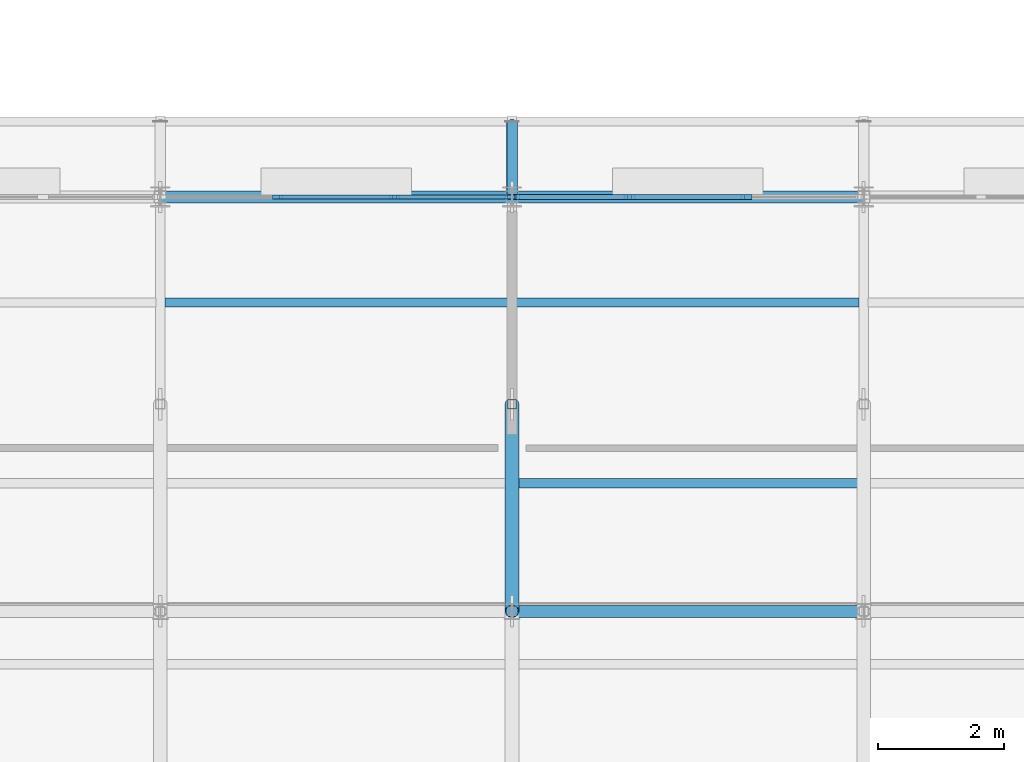
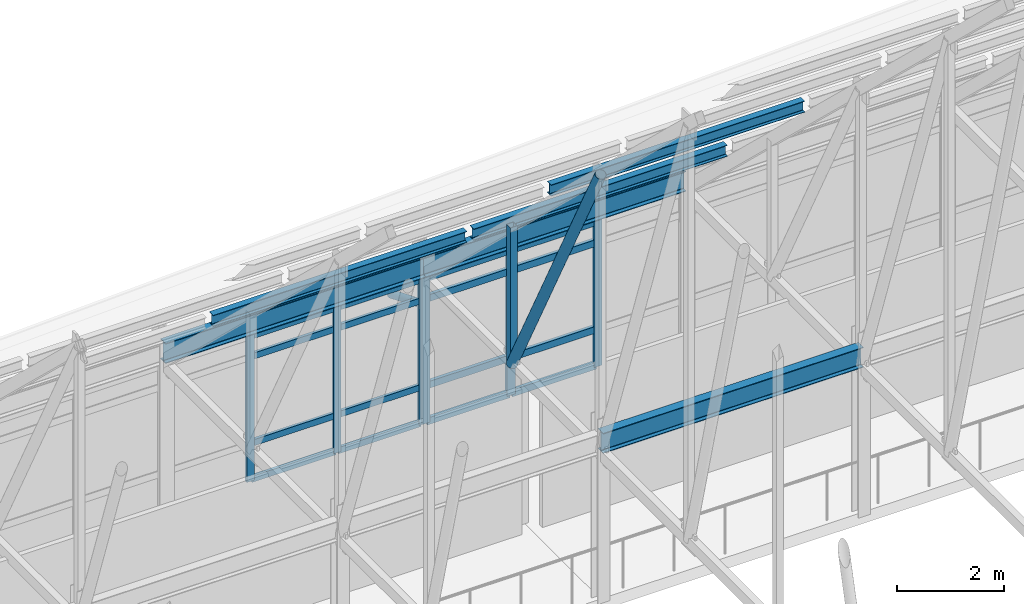
# One storey, part 40 of 144: 28 members, 3 beams, 2 elements without a shape of their own.
"""IFC4 building model written with IfcOpenShell, lengths in metres."""

import ifcopenshell
import ifcopenshell.guid

model = None  # the IFC model being written
_history = None  # IfcOwnerHistory: only IFC2X3 demands one
_inside = {}  # id of a spatial element -> (the spatial element, [elements in it])
_under = {}  # id of a project, library or spatial element -> (it, [spatial elements below it])
_declared = {}  # id of a project -> (the project, [libraries it declares])
_typed = {}  # id of a type object -> (the type object, [elements of that type])
_made_of = {}  # id of a material, layer set ... -> (it, [elements and type objects made of it])


def new_model(schema):
    """Start an empty IFC model of exactly this schema.

    Asked for "IFC4X3", IfcOpenShell would pick the latest addendum, in which some entities
    have other attributes; the version numbers below select the first issue.
    IFC2X3 requires an IfcOwnerHistory on every rooted entity: one is made here for all.
    """
    global model, _history
    if schema == "IFC4X3":
        model = ifcopenshell.file(schema_version=(4, 3, 0, 0))
    else:
        model = ifcopenshell.file(schema=schema)
    _inside.clear()
    _under.clear()
    _declared.clear()
    _typed.clear()
    _made_of.clear()
    _history = None
    if model.schema == "IFC2X3":
        org = make("IfcOrganization", Name="unknown")
        user = make(
            "IfcPersonAndOrganization",
            ThePerson=make("IfcPerson", FamilyName="unknown"),
            TheOrganization=org,
        )
        app = make(
            "IfcApplication",
            ApplicationDeveloper=org,
            Version="unknown",
            ApplicationFullName="unknown",
            ApplicationIdentifier="unknown",
        )
        _history = make(
            "IfcOwnerHistory",
            OwningUser=user,
            OwningApplication=app,
            ChangeAction="ADDED",
            CreationDate=0,
        )
    return model


def make(cls, **values):
    """One entity of the class cls with the attributes given. An attribute that is None is left unset."""
    return model.create_entity(
        cls, **{name: value for name, value in values.items() if value is not None}
    )


def rooted(cls, **values):
    """An entity with a GlobalId (a new one), such as an element, a storey or a relation."""
    return make(cls, GlobalId=ifcopenshell.guid.new(), OwnerHistory=_history, **values)


def si_unit(unit_type, name, prefix=None):
    """IfcSIUnit, for example si_unit("LENGTHUNIT", "METRE", prefix="MILLI")."""
    return make("IfcSIUnit", UnitType=unit_type, Prefix=prefix, Name=name)


def assignment(units):
    """IfcUnitAssignment: the units of a project."""
    return None if units is None else make("IfcUnitAssignment", Units=units)


def point(xyz):
    """IfcCartesianPoint."""
    return None if xyz is None else make("IfcCartesianPoint", Coordinates=xyz)


def direction(xyz):
    """IfcDirection."""
    return None if xyz is None else make("IfcDirection", DirectionRatios=xyz)


def frame(location, z_axis=None, x_axis=None):
    """IfcAxis2Placement3D, a coordinate frame: its origin and axes. An axis left out is left unset."""
    return make(
        "IfcAxis2Placement3D",
        Location=point(location),
        Axis=direction(z_axis),
        RefDirection=direction(x_axis),
    )


def frame_2d(location, x_axis=None):
    """IfcAxis2Placement2D, a coordinate frame in the plane: its origin and x axis."""
    return make(
        "IfcAxis2Placement2D", Location=point(location), RefDirection=direction(x_axis)
    )


def origin():
    """The frame at (0, 0, 0) with its axes left unset."""
    return frame((0.0, 0.0, 0.0))


def origin_2d():
    """The frame at (0, 0) in the plane with its x axis left unset."""
    return frame_2d((0.0, 0.0))


def place(relative_to, where):
    """IfcLocalPlacement: puts the frame where relative to a parent placement (None: the world)."""
    return make(
        "IfcLocalPlacement", PlacementRelTo=relative_to, RelativePlacement=where
    )


def context(
    kind, dimensions, precision=None, world=None, true_north=None, identifier=None
):
    """IfcGeometricRepresentationContext, for example the 3D "Model" context."""
    return make(
        "IfcGeometricRepresentationContext",
        ContextIdentifier=identifier,
        ContextType=kind,
        CoordinateSpaceDimension=dimensions,
        Precision=precision,
        WorldCoordinateSystem=world,
        TrueNorth=true_north,
    )


def subcontext(parent, identifier, kind, view, scale=None):
    """IfcGeometricRepresentationSubContext, for example "Body" below "Model"."""
    return make(
        "IfcGeometricRepresentationSubContext",
        ContextIdentifier=identifier,
        ContextType=kind,
        ParentContext=parent,
        TargetScale=scale,
        TargetView=view,
    )


def project(units=None, contexts=None):
    """IfcProject with its units and contexts."""
    return rooted(
        "IfcProject",
        Name="project",
        RepresentationContexts=contexts,
        UnitsInContext=assignment(units),
    )


def spatial(cls, under=None, at=None, **own):
    """A site, building, storey or space (cls), placed at a placement, below another one or the project."""
    s = rooted(cls, ObjectPlacement=at, **own)
    if under is not None:
        _under.setdefault(under.id(), (under, []))[1].append(s)
    return s


def profile(cls, at=None, kind="AREA", **sizes):
    """A parametric profile (cls). Its sizes go by their IFC names, for example OverallWidth=200.0."""
    return make(cls, ProfileType=kind, Position=at, **sizes)


def rectangle(**sizes):
    """IfcRectangleProfileDef."""
    return profile("IfcRectangleProfileDef", **sizes)


def hollow_rectangle(**sizes):
    """IfcRectangleHollowProfileDef."""
    return profile("IfcRectangleHollowProfileDef", **sizes)


def hollow_circle(**sizes):
    """IfcCircleHollowProfileDef."""
    return profile("IfcCircleHollowProfileDef", **sizes)


def i_section(**sizes):
    """IfcIShapeProfileDef."""
    return profile("IfcIShapeProfileDef", **sizes)


def extrude(swept, where, along, depth):
    """IfcExtrudedAreaSolid: the profile swept, set in the frame where, extruded along a direction by depth."""
    return make(
        "IfcExtrudedAreaSolid",
        SweptArea=swept,
        Position=where,
        ExtrudedDirection=direction(along),
        Depth=depth,
    )


def shape(context_of_items, identifier, shape_type, items):
    """IfcShapeRepresentation: the items that make up one representation, for example the "Body"."""
    return make(
        "IfcShapeRepresentation",
        ContextOfItems=context_of_items,
        RepresentationIdentifier=identifier,
        RepresentationType=shape_type,
        Items=items,
    )


def material(Name=None, Category=None):
    """IfcMaterial."""
    return make("IfcMaterial", Name=Name, Category=Category)


def layer(
    of_material, thickness, ventilated=None, Name=None, Category=None, Priority=None
):
    """IfcMaterialLayer: one layer of a wall or slab, of a material (None: an air gap)."""
    return make(
        "IfcMaterialLayer",
        Material=of_material,
        LayerThickness=thickness,
        IsVentilated=ventilated,
        Name=Name,
        Category=Category,
        Priority=Priority,
    )


def layer_set(layers, Name=None):
    """IfcMaterialLayerSet."""
    return make("IfcMaterialLayerSet", MaterialLayers=layers, LayerSetName=Name)


def material_profile(
    of_material, cross_section, Name=None, Category=None, Priority=None
):
    """IfcMaterialProfile: a cross section and its material."""
    return make(
        "IfcMaterialProfile",
        Name=Name,
        Material=of_material,
        Profile=cross_section,
        Priority=Priority,
        Category=Category,
    )


def profile_set(profiles, Name=None, composite=None):
    """IfcMaterialProfileSet."""
    return make(
        "IfcMaterialProfileSet",
        Name=Name,
        MaterialProfiles=profiles,
        CompositeProfile=composite,
    )


def made_of(thing, what):
    """Note that an element or type object is made of a material, layer set ...; save() writes the relation."""
    if what is not None:
        _made_of.setdefault(what.id(), (what, []))[1].append(thing)
    return thing


def type_object(cls, material=None, **own):
    """A type object (cls), such as IfcWallType, which elements share."""
    return made_of(rooted(cls, **own), material)


def element(
    cls,
    number,
    at=None,
    inside=None,
    cuts=None,
    type_object=None,
    material=None,
    context=None,
    identifier="Body",
    shape_type=None,
    held_by="IfcProductDefinitionShape",
    body=None,
    shapes=None,
    **own,
):
    """One element of the class cls, such as IfcWall. Its Tag is "e" and its number.

    at: its placement. inside: the storey or other place that contains it. cuts: it is an
    opening in that element (IfcRelVoidsElement). A single representation is given by context,
    identifier, shape_type and body (its items); several are given by shapes. held_by: the class
    of the entity that holds the representations. save() writes the other relations.
    """
    e = rooted(cls, Tag="e%d" % number, ObjectPlacement=at, **own)
    if body is not None:
        shapes = [shape(context, identifier, shape_type, body)]
    if shapes is not None:
        e.Representation = make(held_by, Representations=shapes)
    if inside is not None:
        _inside.setdefault(inside.id(), (inside, []))[1].append(e)
    if cuts is not None:
        rooted(
            "IfcRelVoidsElement", RelatingBuildingElement=cuts, RelatedOpeningElement=e
        )
    if type_object is not None:
        _typed.setdefault(type_object.id(), (type_object, []))[1].append(e)
    return made_of(e, material)


def aggregate(whole, parts):
    """IfcRelAggregates: a whole, such as a stair, and the parts it consists of."""
    return rooted("IfcRelAggregates", RelatingObject=whole, RelatedObjects=parts)


def save(model, path):
    """Write the relations noted so far, then the file.

    IfcRelAggregates (storeys below a building ...), IfcRelContainedInSpatialStructure (elements
    in a storey), IfcRelDefinesByType, IfcRelAssociatesMaterial and IfcRelDeclares: one each for
    every whole, place, type object, material and project.
    """
    for whole, parts in _under.values():
        aggregate(whole, parts)
    for where, things in _inside.values():
        rooted(
            "IfcRelContainedInSpatialStructure",
            RelatedElements=things,
            RelatingStructure=where,
        )
    for kind, things in _typed.values():
        rooted("IfcRelDefinesByType", RelatedObjects=things, RelatingType=kind)
    for what, things in _made_of.values():
        rooted("IfcRelAssociatesMaterial", RelatedObjects=things, RelatingMaterial=what)
    for by, libraries in _declared.values():
        rooted("IfcRelDeclares", RelatingContext=by, RelatedDefinitions=libraries)
    model.write(path)


model = new_model("IFC4")

# Units and contexts
model_context = context("Model", 3, precision=1e-05, world=origin(), true_north=direction((0.0, 1.0)))
body_context = subcontext(model_context, "Body", "Model", "MODEL_VIEW")
ifc_project = project(units=[si_unit("LENGTHUNIT", "METRE"), si_unit("AREAUNIT", "SQUARE_METRE"), si_unit("VOLUMEUNIT", "CUBIC_METRE"), si_unit("PLANEANGLEUNIT", "RADIAN"), si_unit("MASSUNIT", "GRAM", prefix="KILO")], contexts=[model_context])

# Site, building, storey
site_placement = place(None, origin())
site = spatial("IfcSite", under=ifc_project, at=site_placement, CompositionType="ELEMENT")
building_placement = place(site_placement, origin())
building = spatial("IfcBuilding", under=site, at=building_placement, Name="Trelmorton Wharf Fire Station", CompositionType="ELEMENT")
storey_placement = place(building_placement, frame((0.0, 0.0, 5.39990234375)))
storey = spatial("IfcBuildingStorey", under=building, at=storey_placement, Name="L01", CompositionType="ELEMENT", Elevation=5.39990234375)

# Curtain wall, members
ifc_material_1 = material(Name="Anodised aluminium AW-6063", Category="aluminium")
ifc_layer = layer(ifc_material_1, 0.175048828125)
ifc_layer_set = layer_set([ifc_layer], Name="Anodised aluminium AW-6063")
curtain_wall_type = type_object("IfcCurtainWallType", Name="CW_CHIC_B", PredefinedType="USERDEFINED", material=ifc_layer_set)
curtain_wall_1_placement = place(storey_placement, origin())
curtain_wall_1 = element("IfcCurtainWall", 1, at=curtain_wall_1_placement, inside=storey, type_object=curtain_wall_type, Name="CW-V1-L01-013", ObjectType="CHICAGO BAY CURTAIN WALL", PredefinedType="USERDEFINED")
ifc_material_profile_1 = material_profile(ifc_material_1, rectangle(XDim=0.06494140625, YDim=0.159912109375, at=origin_2d()), Name="ALU-65x160")
ifc_profile_set_1 = profile_set([ifc_material_profile_1], Name="Anodised aluminium AW-6063")
member_type_1 = type_object("IfcMemberType", Name="CWM_65x160", PredefinedType="MULLION", material=ifc_profile_set_1)
member_1_placement = place(storey_placement, frame((25.068359375, 34.199951171875, 0.0), z_axis=(0.0, 0.0, 1.0), x_axis=(0.0, 1.0, 0.0)))
member_1 = element("IfcMember", 2, at=member_1_placement, type_object=member_type_1, Name="CW2 mullion 2", PredefinedType="MULLION", context=body_context, shape_type="SweptSolid", body=[
    extrude(rectangle(XDim=0.06494140625, YDim=0.159912109375, at=origin_2d()), origin(), (0.0, 0.0, 1.0), 3.320068359375),
])
member_2_placement = place(storey_placement, frame((26.931640625, 34.199951171875, 0.0), z_axis=(0.0, 0.0, 1.0), x_axis=(0.0, 1.0, 0.0)))
member_2 = element("IfcMember", 3, at=member_2_placement, type_object=member_type_1, Name="CW2 mullion 3", PredefinedType="MULLION", context=body_context, shape_type="SweptSolid", body=[
    extrude(rectangle(XDim=0.06494140625, YDim=0.159912109375, at=origin_2d()), origin(), (0.0, 0.0, 1.0), 3.320068359375),
])
member_3_placement = place(storey_placement, frame((28.764892578125, 34.199951171875, 0.0), z_axis=(0.0, 0.0, 1.0), x_axis=(0.0, 1.0, 0.0)))
member_3 = element("IfcMember", 4, at=member_3_placement, type_object=member_type_1, Name="CW2 mullion 4", PredefinedType="MULLION", context=body_context, shape_type="SweptSolid", body=[
    extrude(rectangle(XDim=0.06494140625, YDim=0.159912109375, at=origin_2d()), origin(), (0.0, 0.0, 1.0), 3.320068359375),
])

curtain_wall_2_placement = place(storey_placement, origin())
curtain_wall_2 = element("IfcCurtainWall", 5, at=curtain_wall_2_placement, inside=storey, type_object=curtain_wall_type, Name="CW-V1-L01-014", ObjectType="CHICAGO BAY CURTAIN WALL", PredefinedType="USERDEFINED")
ifc_material_profile_2 = material_profile(ifc_material_1, rectangle(XDim=0.074951171875, YDim=0.175048828125, at=origin_2d()), Name="ALU-75x175")
ifc_profile_set_2 = profile_set([ifc_material_profile_2], Name="Anodised aluminium AW-6063")
member_type_2 = type_object("IfcMemberType", Name="CWM_75x175", PredefinedType="MULLION", material=ifc_profile_set_2)
member_4_placement = place(storey_placement, frame((28.8349609375, 34.199951171875, 0.0), z_axis=(0.0, 0.0, 1.0), x_axis=(0.0, 1.0, 0.0)))
member_4 = element("IfcMember", 6, at=member_4_placement, type_object=member_type_2, Name="CW2 mullion 1", PredefinedType="MULLION", context=body_context, shape_type="SweptSolid", body=[
    extrude(rectangle(XDim=0.074951171875, YDim=0.175048828125, at=origin_2d()), origin(), (0.0, 0.0, 1.0), 3.320068359375),
])
member_5_placement = place(storey_placement, frame((30.668212890625, 34.199951171875, 0.0), z_axis=(0.0, 0.0, 1.0), x_axis=(0.0, 1.0, 0.0)))
member_5 = element("IfcMember", 7, at=member_5_placement, type_object=member_type_2, Name="CW2 mullion 2", PredefinedType="MULLION", context=body_context, shape_type="SweptSolid", body=[
    extrude(rectangle(XDim=0.074951171875, YDim=0.175048828125, at=origin_2d()), origin(), (0.0, 0.0, 1.0), 3.320068359375),
])
member_6_placement = place(storey_placement, frame((32.53173828125, 34.199951171875, 0.0), z_axis=(0.0, 0.0, 1.0), x_axis=(0.0, 1.0, 0.0)))
member_6 = element("IfcMember", 8, at=member_6_placement, type_object=member_type_2, Name="CW2 mullion 3", PredefinedType="MULLION", context=body_context, shape_type="SweptSolid", body=[
    extrude(rectangle(XDim=0.074951171875, YDim=0.175048828125, at=origin_2d()), origin(), (0.0, 0.0, 1.0), 3.320068359375),
])

# Member
ifc_material_profile_3 = material_profile(ifc_material_1, rectangle(XDim=0.06494140625, YDim=0.139892578125, at=origin_2d()), Name="ALU-65x140")
ifc_profile_set_3 = profile_set([ifc_material_profile_3], Name="Anodised aluminium AW-6063")
member_type_3 = type_object("IfcMemberType", Name="CWT_65x140", PredefinedType="USERDEFINED", material=ifc_profile_set_3)
member_7_placement = place(storey_placement, frame((25.098388671875, 34.199951171875, 0.030029296875), z_axis=(1.0, 0.0, 0.0), x_axis=(0.0, 1.0, 0.0)))
member_7 = element("IfcMember", 9, at=member_7_placement, type_object=member_type_3, Name="CW2 transom 2.1", ObjectType="TRANSOM", PredefinedType="USERDEFINED", context=body_context, shape_type="SweptSolid", body=[
    extrude(rectangle(XDim=0.06494140625, YDim=0.139892578125, at=origin_2d()), origin(), (0.0, 0.0, 1.0), 1.80322265625),
])

member_8_placement = place(storey_placement, frame((25.098388671875, 34.199951171875, 0.85009765625), z_axis=(1.0, 0.0, 0.0), x_axis=(0.0, 1.0, 0.0)))
member_8 = element("IfcMember", 10, at=member_8_placement, type_object=member_type_3, Name="CW2 transom 2.2", ObjectType="TRANSOM", PredefinedType="USERDEFINED", context=body_context, shape_type="SweptSolid", body=[
    extrude(rectangle(XDim=0.06494140625, YDim=0.139892578125, at=origin_2d()), origin(), (0.0, 0.0, 1.0), 1.80322265625),
])

member_9_placement = place(storey_placement, frame((25.098388671875, 34.199951171875, 2.820068359375), z_axis=(1.0, 0.0, 0.0), x_axis=(0.0, 1.0, 0.0)))
member_9 = element("IfcMember", 11, at=member_9_placement, type_object=member_type_3, Name="CW2 transom 2.3", ObjectType="TRANSOM", PredefinedType="USERDEFINED", context=body_context, shape_type="SweptSolid", body=[
    extrude(rectangle(XDim=0.06494140625, YDim=0.139892578125, at=origin_2d()), origin(), (0.0, 0.0, 1.0), 1.80322265625),
])

member_10_placement = place(storey_placement, frame((25.098388671875, 34.199951171875, 3.2900390625), z_axis=(1.0, 0.0, 0.0), x_axis=(0.0, 1.0, 0.0)))
member_10 = element("IfcMember", 12, at=member_10_placement, type_object=member_type_3, Name="CW2 transom 2.4", ObjectType="TRANSOM", PredefinedType="USERDEFINED", context=body_context, shape_type="SweptSolid", body=[
    extrude(rectangle(XDim=0.06494140625, YDim=0.139892578125, at=origin_2d()), origin(), (0.0, 0.0, 1.0), 1.80322265625),
])

member_11_placement = place(storey_placement, frame((26.961669921875, 34.199951171875, 0.030029296875), z_axis=(1.0, 0.0, 0.0), x_axis=(0.0, 1.0, 0.0)))
member_11 = element("IfcMember", 13, at=member_11_placement, type_object=member_type_3, Name="CW2 transom 3.1", ObjectType="TRANSOM", PredefinedType="USERDEFINED", context=body_context, shape_type="SweptSolid", body=[
    extrude(rectangle(XDim=0.06494140625, YDim=0.139892578125, at=origin_2d()), origin(), (0.0, 0.0, 1.0), 1.7734375),
])

member_12_placement = place(storey_placement, frame((26.961669921875, 34.199951171875, 0.85009765625), z_axis=(1.0, 0.0, 0.0), x_axis=(0.0, 1.0, 0.0)))
member_12 = element("IfcMember", 14, at=member_12_placement, type_object=member_type_3, Name="CW2 transom 3.2", ObjectType="TRANSOM", PredefinedType="USERDEFINED", context=body_context, shape_type="SweptSolid", body=[
    extrude(rectangle(XDim=0.06494140625, YDim=0.139892578125, at=origin_2d()), origin(), (0.0, 0.0, 1.0), 1.7734375),
])

member_13_placement = place(storey_placement, frame((26.961669921875, 34.199951171875, 2.820068359375), z_axis=(1.0, 0.0, 0.0), x_axis=(0.0, 1.0, 0.0)))
member_13 = element("IfcMember", 15, at=member_13_placement, type_object=member_type_3, Name="CW2 transom 3.3", ObjectType="TRANSOM", PredefinedType="USERDEFINED", context=body_context, shape_type="SweptSolid", body=[
    extrude(rectangle(XDim=0.06494140625, YDim=0.139892578125, at=origin_2d()), origin(), (0.0, 0.0, 1.0), 1.7734375),
])

member_14_placement = place(storey_placement, frame((26.961669921875, 34.199951171875, 3.2900390625), z_axis=(1.0, 0.0, 0.0), x_axis=(0.0, 1.0, 0.0)))
member_14 = element("IfcMember", 16, at=member_14_placement, type_object=member_type_3, Name="CW2 transom 3.4", ObjectType="TRANSOM", PredefinedType="USERDEFINED", context=body_context, shape_type="SweptSolid", body=[
    extrude(rectangle(XDim=0.06494140625, YDim=0.139892578125, at=origin_2d()), origin(), (0.0, 0.0, 1.0), 1.7734375),
])

aggregate(curtain_wall_1, [member_1, member_2, member_3, member_7, member_8, member_9, member_10, member_11, member_12, member_13, member_14])

ifc_material_profile_4 = material_profile(ifc_material_1, rectangle(XDim=0.074951171875, YDim=0.155029296875, at=origin_2d()), Name="ALU-75x155")
ifc_profile_set_4 = profile_set([ifc_material_profile_4], Name="Anodised aluminium AW-6063")
member_type_4 = type_object("IfcMemberType", Name="CWT_75x155", PredefinedType="USERDEFINED", material=ifc_profile_set_4)
member_15_placement = place(storey_placement, frame((28.864990234375, 34.199951171875, 0.030029296875), z_axis=(1.0, 0.0, 0.0), x_axis=(0.0, 1.0, 0.0)))
member_15 = element("IfcMember", 17, at=member_15_placement, type_object=member_type_4, Name="CW2 transom 1.1", ObjectType="TRANSOM", PredefinedType="USERDEFINED", context=body_context, shape_type="SweptSolid", body=[
    extrude(rectangle(XDim=0.074951171875, YDim=0.155029296875, at=origin_2d()), origin(), (0.0, 0.0, 1.0), 1.7734375),
])

member_16_placement = place(storey_placement, frame((28.864990234375, 34.199951171875, 0.85009765625), z_axis=(1.0, 0.0, 0.0), x_axis=(0.0, 1.0, 0.0)))
member_16 = element("IfcMember", 18, at=member_16_placement, type_object=member_type_4, Name="CW2 transom 1.2", ObjectType="TRANSOM", PredefinedType="USERDEFINED", context=body_context, shape_type="SweptSolid", body=[
    extrude(rectangle(XDim=0.074951171875, YDim=0.155029296875, at=origin_2d()), origin(), (0.0, 0.0, 1.0), 1.7734375),
])

member_17_placement = place(storey_placement, frame((28.864990234375, 34.199951171875, 2.820068359375), z_axis=(1.0, 0.0, 0.0), x_axis=(0.0, 1.0, 0.0)))
member_17 = element("IfcMember", 19, at=member_17_placement, type_object=member_type_4, Name="CW2 transom 1.3", ObjectType="TRANSOM", PredefinedType="USERDEFINED", context=body_context, shape_type="SweptSolid", body=[
    extrude(rectangle(XDim=0.074951171875, YDim=0.155029296875, at=origin_2d()), origin(), (0.0, 0.0, 1.0), 1.7734375),
])

member_18_placement = place(storey_placement, frame((28.864990234375, 34.199951171875, 3.2900390625), z_axis=(1.0, 0.0, 0.0), x_axis=(0.0, 1.0, 0.0)))
member_18 = element("IfcMember", 20, at=member_18_placement, type_object=member_type_4, Name="CW2 transom 1.4", ObjectType="TRANSOM", PredefinedType="USERDEFINED", context=body_context, shape_type="SweptSolid", body=[
    extrude(rectangle(XDim=0.074951171875, YDim=0.155029296875, at=origin_2d()), origin(), (0.0, 0.0, 1.0), 1.7734375),
])

member_19_placement = place(storey_placement, frame((30.6982421875, 34.199951171875, 0.030029296875), z_axis=(1.0, 0.0, 0.0), x_axis=(0.0, 1.0, 0.0)))
member_19 = element("IfcMember", 21, at=member_19_placement, type_object=member_type_4, Name="CW2 transom 2.1", ObjectType="TRANSOM", PredefinedType="USERDEFINED", context=body_context, shape_type="SweptSolid", body=[
    extrude(rectangle(XDim=0.074951171875, YDim=0.155029296875, at=origin_2d()), origin(), (0.0, 0.0, 1.0), 1.803466796875),
])

member_20_placement = place(storey_placement, frame((30.6982421875, 34.199951171875, 0.85009765625), z_axis=(1.0, 0.0, 0.0), x_axis=(0.0, 1.0, 0.0)))
member_20 = element("IfcMember", 22, at=member_20_placement, type_object=member_type_4, Name="CW2 transom 2.2", ObjectType="TRANSOM", PredefinedType="USERDEFINED", context=body_context, shape_type="SweptSolid", body=[
    extrude(rectangle(XDim=0.074951171875, YDim=0.155029296875, at=origin_2d()), origin(), (0.0, 0.0, 1.0), 1.803466796875),
])

member_21_placement = place(storey_placement, frame((30.6982421875, 34.199951171875, 2.820068359375), z_axis=(1.0, 0.0, 0.0), x_axis=(0.0, 1.0, 0.0)))
member_21 = element("IfcMember", 23, at=member_21_placement, type_object=member_type_4, Name="CW2 transom 2.3", ObjectType="TRANSOM", PredefinedType="USERDEFINED", context=body_context, shape_type="SweptSolid", body=[
    extrude(rectangle(XDim=0.074951171875, YDim=0.155029296875, at=origin_2d()), origin(), (0.0, 0.0, 1.0), 1.803466796875),
])

member_22_placement = place(storey_placement, frame((30.6982421875, 34.199951171875, 3.2900390625), z_axis=(1.0, 0.0, 0.0), x_axis=(0.0, 1.0, 0.0)))
member_22 = element("IfcMember", 24, at=member_22_placement, type_object=member_type_4, Name="CW2 transom 2.4", ObjectType="TRANSOM", PredefinedType="USERDEFINED", context=body_context, shape_type="SweptSolid", body=[
    extrude(rectangle(XDim=0.074951171875, YDim=0.155029296875, at=origin_2d()), origin(), (0.0, 0.0, 1.0), 1.803466796875),
])

aggregate(curtain_wall_2, [member_4, member_5, member_6, member_15, member_16, member_17, member_18, member_19, member_20, member_21, member_22])

# Members
ifc_material_2 = material(Name="Steel Grade 300 (300 MPa)", Category="steel")
ifc_material_profile_5 = material_profile(ifc_material_2, i_section(OverallWidth=0.14599609375, OverallDepth=0.256103515625, WebThickness=0.00634765625, FlangeThickness=0.010986328125, FilletRadius=0.0087890625, at=origin_2d()), Name="250UB37.3")
ifc_profile_set_5 = profile_set([ifc_material_profile_5], Name="Steel Grade 300 (300 MPa)")
member_type_5 = type_object("IfcMemberType", Name="PR_250UB37", PredefinedType="PURLIN", material=ifc_profile_set_5)
member_23_placement = place(storey_placement, frame((23.27197265625, 32.52001953125, 5.315185546875), z_axis=(1.0, 0.0, 0.0), x_axis=(0.0, 1.0, 0.0)))
element("IfcMember", 25, at=member_23_placement, inside=storey, type_object=member_type_5, Name="V1-PR-B05-N4", PredefinedType="PURLIN", context=body_context, shape_type="SweptSolid", body=[
    extrude(i_section(OverallWidth=0.14599609375, OverallDepth=0.256103515625, WebThickness=0.00634765625, FlangeThickness=0.010986328125, FilletRadius=0.0087890625, at=origin_2d()), origin(), (0.0, 0.0, 1.0), 5.4560546875),
])
for number, where, z_axis, x_axis, name in (
    (26, (28.8720703125, 29.639892578125, 8.064453125), (1.0, 0.0, 0.0), (0.0, 1.0, 0.0), "V1-PR-B06-N3"),
    (27, (28.8720703125, 32.52001953125, 5.315185546875), (1.0, 0.0, 0.0), (0.0, 1.0, 0.0), "V1-PR-B06-N4"),
):
    element("IfcMember", number, at=place(storey_placement, frame(where, z_axis=z_axis, x_axis=x_axis)), inside=storey, type_object=member_type_5, Name=name, PredefinedType="PURLIN", context=body_context, shape_type="SweptSolid", body=[
        extrude(i_section(OverallWidth=0.14599609375, OverallDepth=0.256103515625, WebThickness=0.00634765625, FlangeThickness=0.010986328125, FilletRadius=0.0087890625, at=origin_2d()), origin(), (0.0, 0.0, 1.0), 5.455810546875),
    ])

# Beams
ifc_material_3 = material(Name="Steel Grade 350", Category="steel")
ifc_material_profile_6 = material_profile(ifc_material_3, i_section(OverallWidth=0.18994140625, OverallDepth=0.45703125, WebThickness=0.009033203125, FlangeThickness=0.014404296875, FilletRadius=0.011474609375, at=origin_2d()), Name="460UB74.6")
ifc_profile_set_6 = profile_set([ifc_material_profile_6], Name="Steel Grade 350")
beam_type = type_object("IfcBeamType", Name="SP_460UB75", PredefinedType="SPANDREL", material=ifc_profile_set_6)
beam_1_placement = place(storey_placement, frame((28.803955078125, 27.60009765625, 3.591552734375), z_axis=(1.0, 0.0, 0.0), x_axis=(0.0, 1.0, 0.0)))
element("IfcBeam", 28, at=beam_1_placement, inside=storey, type_object=beam_type, Name="BM-L01-0457", PredefinedType="SPANDREL", context=body_context, shape_type="SweptSolid", body=[
    extrude(i_section(OverallWidth=0.18994140625, OverallDepth=0.45703125, WebThickness=0.009033203125, FlangeThickness=0.014404296875, FilletRadius=0.011474609375, at=origin_2d()), origin(), (0.0, 0.0, 1.0), 5.592041015625),
])
beam_2_placement = place(storey_placement, frame((23.2041015625, 34.199951171875, 3.591552734375), z_axis=(1.0, 0.0, 0.0), x_axis=(0.0, 1.0, 0.0)))
element("IfcBeam", 29, at=beam_2_placement, inside=storey, type_object=beam_type, Name="BM-L01-0475", PredefinedType="SPANDREL", context=body_context, shape_type="SweptSolid", body=[
    extrude(i_section(OverallWidth=0.18994140625, OverallDepth=0.45703125, WebThickness=0.009033203125, FlangeThickness=0.014404296875, FilletRadius=0.011474609375, at=origin_2d()), origin(), (0.0, 0.0, 1.0), 5.591796875),
])
beam_3_placement = place(storey_placement, frame((28.803955078125, 34.199951171875, 3.591552734375), z_axis=(1.0, 0.0, 0.0), x_axis=(0.0, 1.0, 0.0)))
element("IfcBeam", 30, at=beam_3_placement, inside=storey, type_object=beam_type, Name="BM-L01-0476", PredefinedType="SPANDREL", context=body_context, shape_type="SweptSolid", body=[
    extrude(i_section(OverallWidth=0.18994140625, OverallDepth=0.45703125, WebThickness=0.009033203125, FlangeThickness=0.014404296875, FilletRadius=0.011474609375, at=origin_2d()), origin(), (0.0, 0.0, 1.0), 5.592041015625),
])

# Members
ifc_material_4 = material(Name="Steel C350L0 (350 MPa)", Category="steel")
ifc_material_profile_7 = material_profile(ifc_material_4, hollow_circle(Radius=0.084228515625, WallThickness=0.007080078125, at=origin_2d()), Name="168.3x7.1CHS")
ifc_profile_set_7 = profile_set([ifc_material_profile_7], Name="Steel C350L0 (350 MPa)")
member_type_6 = type_object("IfcMemberType", Name="TR_DIAG_168CHS", PredefinedType="STRUT", material=ifc_profile_set_7)
member_24_placement = place(storey_placement, frame((28.800048828125, 34.199951171875, 2.7001953125), z_axis=(0.0, 0.924732639899, -0.380617320553), x_axis=(-1.0, 0.0, 0.0)))
element("IfcMember", 31, at=member_24_placement, inside=storey, type_object=member_type_6, Name="V1-TR06-EAV-N", PredefinedType="STRUT", context=body_context, shape_type="SweptSolid", body=[
    extrude(hollow_circle(Radius=0.084228515625, WallThickness=0.007080078125, at=origin_2d()), origin(), (0.0, 0.0, 1.0), 1.297607421875),
])
ifc_material_profile_8 = material_profile(ifc_material_4, hollow_circle(Radius=0.109619140625, WallThickness=0.00830078125, at=origin_2d()), Name="219.1x8.2CHS")
ifc_profile_set_8 = profile_set([ifc_material_profile_8], Name="Steel C350L0 (350 MPa)")
member_type_7 = type_object("IfcMemberType", Name="TR_DIAG_219CHS", PredefinedType="STRUT", material=ifc_profile_set_8)
member_25_placement = place(storey_placement, frame((28.800048828125, 30.89990234375, 3.351806640625), z_axis=(0.0, -0.463982622554, 0.8858443012), x_axis=(1.0, 0.0, 0.0)))
element("IfcMember", 32, at=member_25_placement, inside=storey, type_object=member_type_7, Name="V1-TR06-DG-N1", PredefinedType="STRUT", context=body_context, shape_type="SweptSolid", body=[
    extrude(hollow_circle(Radius=0.109619140625, WallThickness=0.00830078125, at=origin_2d()), origin(), (0.0, 0.0, 1.0), 7.11181640625),
])
ifc_material_profile_9 = material_profile(ifc_material_4, hollow_rectangle(XDim=0.14990234375, YDim=0.14990234375, WallThickness=0.009033203125, at=origin_2d()), Name="150x150x9.0SHS")
ifc_profile_set_9 = profile_set([ifc_material_profile_9], Name="Steel C350L0 (350 MPa)")
member_type_8 = type_object("IfcMemberType", Name="TR_POST_150SHS", PredefinedType="POST", material=ifc_profile_set_9)
member_26_placement = place(storey_placement, frame((28.800048828125, 30.89990234375, 3.351806640625), z_axis=(0.0, 0.0, 1.0), x_axis=(1.0, 0.0, 0.0)))
element("IfcMember", 33, at=member_26_placement, inside=storey, type_object=member_type_8, Name="V1-TR06-VP-N1", PredefinedType="POST", context=body_context, shape_type="SweptSolid", body=[
    extrude(hollow_rectangle(XDim=0.14990234375, YDim=0.14990234375, WallThickness=0.009033203125, at=origin_2d()), origin(), (0.0, 0.0, 1.0), 3.150146484375),
])

save(model, "model.ifc")
